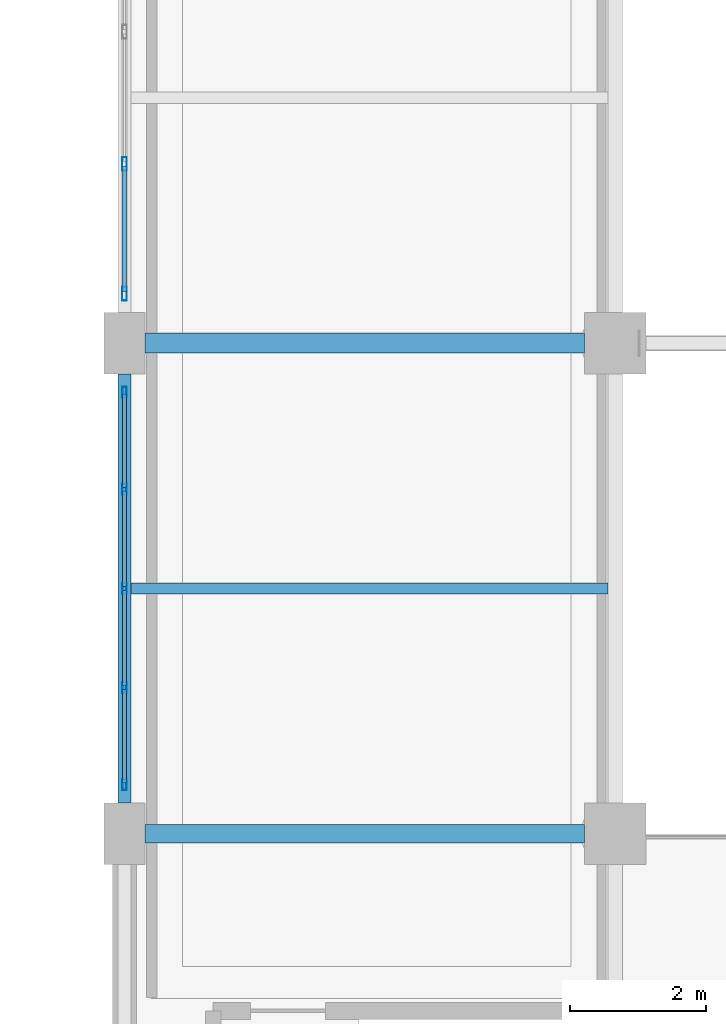
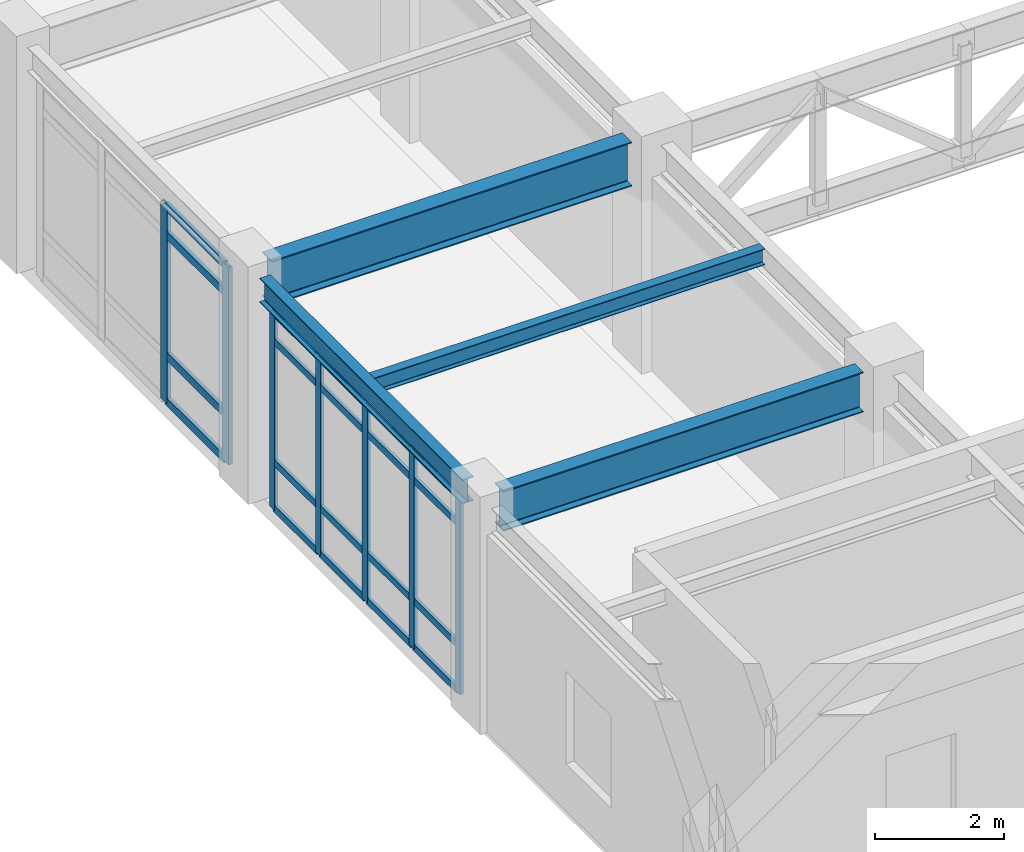
# One storey, part 19 of 106: 27 members, 4 beams, 2 elements without a shape of their own.
"""IFC4 building model written with IfcOpenShell, lengths in metres."""

from ifc_helpers import new_model, si_unit, direction, frame, origin, origin_2d, place, context, subcontext, project, spatial, hollow_rectangle, i_section, extrude, material, layer, layer_set, material_profile, profile_set, type_object, element, aggregate, save


model = new_model("IFC4")

# Units and contexts
model_context = context("Model", 3, precision=1e-05, world=origin(), true_north=direction((0.0, 1.0)))
body_context = subcontext(model_context, "Body", "Model", "MODEL_VIEW")
ifc_project = project(units=[si_unit("LENGTHUNIT", "METRE"), si_unit("AREAUNIT", "SQUARE_METRE"), si_unit("VOLUMEUNIT", "CUBIC_METRE"), si_unit("PLANEANGLEUNIT", "RADIAN"), si_unit("MASSUNIT", "GRAM", prefix="KILO")], contexts=[model_context])

# Site, building, storey
site_placement = place(None, origin())
site = spatial("IfcSite", under=ifc_project, at=site_placement, CompositionType="ELEMENT")
building_placement = place(site_placement, origin())
building = spatial("IfcBuilding", under=site, at=building_placement, Name="Carrowvane Square Congress Hotel", CompositionType="ELEMENT")
storey_placement = place(building_placement, frame((0.0, 0.0, 10.5)))
storey = spatial("IfcBuildingStorey", under=building, at=storey_placement, Name="L02", CompositionType="ELEMENT", Elevation=10.5)

# Beams
ifc_material_1 = material(Name="Steel S355", Category="steel")
ifc_material_profile_1 = material_profile(ifc_material_1, i_section(OverallWidth=0.165771484375, OverallDepth=0.306640625, WebThickness=0.006591796875, FlangeThickness=0.01171875, FilletRadius=0.0087890625, at=origin_2d()), Name="UKB 305x165x46")
ifc_profile_set_1 = profile_set([ifc_material_profile_1], Name="Steel S355")
beam_type_1 = type_object("IfcBeamType", Name="BM-ST-UKB305", PredefinedType="JOIST", material=ifc_profile_set_1)
beam_1_placement = place(storey_placement, frame((134.095703125, 16.199951171875, 4.066650390625), z_axis=(1.0, 0.0, 0.0), x_axis=(0.0, 1.0, 0.0)))
element("IfcBeam", 1, at=beam_1_placement, inside=storey, type_object=beam_type_1, Name="L03 secondary joist 18-19", PredefinedType="JOIST", context=body_context, shape_type="SweptSolid", body=[
    extrude(i_section(OverallWidth=0.165771484375, OverallDepth=0.306640625, WebThickness=0.006591796875, FlangeThickness=0.01171875, FilletRadius=0.0087890625, at=origin_2d()), origin(), (0.0, 0.0, 1.0), 6.999267578125),
])
ifc_material_2 = material(Name="Steel S355", Category="steel")
ifc_material_profile_2 = material_profile(ifc_material_2, i_section(OverallWidth=0.19140625, OverallDepth=0.4599609375, WebThickness=0.010009765625, FlangeThickness=0.01611328125, FilletRadius=0.01025390625, at=origin_2d()), Name="UKB 457x191x82")
ifc_profile_set_2 = profile_set([ifc_material_profile_2], Name="Steel S355")
beam_type_2 = type_object("IfcBeamType", Name="BM-ST-UKB457", PredefinedType="SPANDREL", material=ifc_profile_set_2)
beam_2_placement = place(storey_placement, frame((134.0, 13.050048828125, 3.989990234375), z_axis=(0.0, 1.0, 0.0), x_axis=(-1.0, 0.0, 0.0)))
element("IfcBeam", 2, at=beam_2_placement, inside=storey, type_object=beam_type_2, Name="L03 girder 18/B-C", PredefinedType="SPANDREL", context=body_context, shape_type="SweptSolid", body=[
    extrude(i_section(OverallWidth=0.19140625, OverallDepth=0.4599609375, WebThickness=0.010009765625, FlangeThickness=0.01611328125, FilletRadius=0.01025390625, at=origin_2d()), origin(), (0.0, 0.0, 1.0), 6.300048828125),
])
ifc_material_3 = material(Name="Steel S355", Category="steel")
ifc_material_profile_3 = material_profile(ifc_material_3, i_section(OverallWidth=0.2666015625, OverallDepth=0.76220703125, WebThickness=0.014404296875, FlangeThickness=0.021484375, FilletRadius=0.0166015625, at=origin_2d()), Name="UKB 762x267x173")
ifc_profile_set_3 = profile_set([ifc_material_profile_3], Name="Steel S355")
beam_type_3 = type_object("IfcBeamType", Name="BM-ST-UKB762", PredefinedType="USERDEFINED", material=ifc_profile_set_3)
beam_3_placement = place(storey_placement, frame((134.300048828125, 12.60009765625, 3.8388671875), z_axis=(1.0, 0.0, 0.0), x_axis=(0.0, 1.0, 0.0)))
element("IfcBeam", 3, at=beam_3_placement, inside=storey, type_object=beam_type_3, Name="L03 girder B/18-19", ObjectType="GIRDER", PredefinedType="USERDEFINED", context=body_context, shape_type="SweptSolid", body=[
    extrude(i_section(OverallWidth=0.2666015625, OverallDepth=0.76220703125, WebThickness=0.014404296875, FlangeThickness=0.021484375, FilletRadius=0.0166015625, at=origin_2d()), origin(), (0.0, 0.0, 1.0), 6.449951171875),
])
ifc_material_4 = material(Name="Steel S355", Category="steel")
ifc_material_profile_4 = material_profile(ifc_material_4, i_section(OverallWidth=0.29248046875, OverallDepth=0.8408203125, WebThickness=0.0146484375, FlangeThickness=0.021728515625, FilletRadius=0.017822265625, at=origin_2d()), Name="UKB 838x292x194")
ifc_profile_set_4 = profile_set([ifc_material_profile_4], Name="Steel S355")
beam_type_4 = type_object("IfcBeamType", Name="BM-ST-UKB838", PredefinedType="USERDEFINED", material=ifc_profile_set_4)
beam_4_placement = place(storey_placement, frame((134.300048828125, 19.800048828125, 3.799560546875), z_axis=(1.0, 0.0, 0.0), x_axis=(0.0, 1.0, 0.0)))
element("IfcBeam", 4, at=beam_4_placement, inside=storey, type_object=beam_type_4, Name="L03 girder C/18-19", ObjectType="GIRDER", PredefinedType="USERDEFINED", context=body_context, shape_type="SweptSolid", body=[
    extrude(i_section(OverallWidth=0.29248046875, OverallDepth=0.8408203125, WebThickness=0.0146484375, FlangeThickness=0.021728515625, FilletRadius=0.017822265625, at=origin_2d()), origin(), (0.0, 0.0, 1.0), 6.449951171875),
])

# Curtain wall, members
ifc_material_5 = material(Name="Anodised aluminium", Category="aluminium")
ifc_layer_1 = layer(ifc_material_5, 0.2099609375)
ifc_layer_set_1 = layer_set([ifc_layer_1], Name="Anodised aluminium")
curtain_wall_type_1 = type_object("IfcCurtainWallType", Name="CW-SYS-5", PredefinedType="NOTDEFINED", material=ifc_layer_set_1)
curtain_wall_1_placement = place(storey_placement, origin())
curtain_wall_1 = element("IfcCurtainWall", 5, at=curtain_wall_1_placement, inside=storey, type_object=curtain_wall_type_1, Name="L02 unitised curtain wall 180", PredefinedType="NOTDEFINED")
ifc_material_6 = material(Name="Anodised aluminium", Category="aluminium")
ifc_material_profile_5 = material_profile(ifc_material_6, hollow_rectangle(XDim=0.06005859375, YDim=0.159912109375, WallThickness=0.00390625, at=origin_2d()), Name="CW-ML 60x160x4")
ifc_profile_set_5 = profile_set([ifc_material_profile_5], Name="Anodised aluminium")
member_type_1 = type_object("IfcMemberType", Name="CW-MUL-1", PredefinedType="MULLION", material=ifc_profile_set_5)
member_1_placement = place(storey_placement, frame((134.0, 13.320068359375, 0.0), z_axis=(0.0, 0.0, 1.0), x_axis=(-1.0, 0.0, 0.0)))
member_1 = element("IfcMember", 6, at=member_1_placement, type_object=member_type_1, Name="CW-5 mullion 1", PredefinedType="MULLION", context=body_context, shape_type="SweptSolid", body=[
    extrude(hollow_rectangle(XDim=0.06005859375, YDim=0.159912109375, WallThickness=0.00390625, at=origin_2d()), origin(), (0.0, 0.0, 1.0), 3.7451171875),
])
member_2_placement = place(storey_placement, frame((134.0, 14.7451171875, 0.0), z_axis=(0.0, 0.0, 1.0), x_axis=(-1.0, 0.0, 0.0)))
member_2 = element("IfcMember", 7, at=member_2_placement, type_object=member_type_1, Name="CW-5 mullion 2", PredefinedType="MULLION", context=body_context, shape_type="SweptSolid", body=[
    extrude(hollow_rectangle(XDim=0.06005859375, YDim=0.159912109375, WallThickness=0.00390625, at=origin_2d()), origin(), (0.0, 0.0, 1.0), 3.7451171875),
])
member_3_placement = place(storey_placement, frame((134.0, 16.199951171875, 0.0), z_axis=(0.0, 0.0, 1.0), x_axis=(-1.0, 0.0, 0.0)))
member_3 = element("IfcMember", 8, at=member_3_placement, type_object=member_type_1, Name="CW-5 mullion 3", PredefinedType="MULLION", context=body_context, shape_type="SweptSolid", body=[
    extrude(hollow_rectangle(XDim=0.06005859375, YDim=0.159912109375, WallThickness=0.00390625, at=origin_2d()), origin(), (0.0, 0.0, 1.0), 3.7451171875),
])
member_4_placement = place(storey_placement, frame((134.0, 17.655029296875, 0.0), z_axis=(0.0, 0.0, 1.0), x_axis=(-1.0, 0.0, 0.0)))
member_4 = element("IfcMember", 9, at=member_4_placement, type_object=member_type_1, Name="CW-5 mullion 4", PredefinedType="MULLION", context=body_context, shape_type="SweptSolid", body=[
    extrude(hollow_rectangle(XDim=0.06005859375, YDim=0.159912109375, WallThickness=0.00390625, at=origin_2d()), origin(), (0.0, 0.0, 1.0), 3.7451171875),
])
member_5_placement = place(storey_placement, frame((134.0, 19.080078125, 0.0), z_axis=(0.0, 0.0, 1.0), x_axis=(-1.0, 0.0, 0.0)))
member_5 = element("IfcMember", 10, at=member_5_placement, type_object=member_type_1, Name="CW-5 mullion 5", PredefinedType="MULLION", context=body_context, shape_type="SweptSolid", body=[
    extrude(hollow_rectangle(XDim=0.06005859375, YDim=0.159912109375, WallThickness=0.00390625, at=origin_2d()), origin(), (0.0, 0.0, 1.0), 3.7451171875),
])

ifc_material_7 = material(Name="Anodised aluminium", Category="aluminium")
ifc_layer_2 = layer(ifc_material_7, 0.221923828125)
ifc_layer_set_2 = layer_set([ifc_layer_2], Name="Anodised aluminium")
curtain_wall_type_2 = type_object("IfcCurtainWallType", Name="CW-SYS-6", PredefinedType="NOTDEFINED", material=ifc_layer_set_2)
curtain_wall_2_placement = place(storey_placement, origin())
curtain_wall_2 = element("IfcCurtainWall", 11, at=curtain_wall_2_placement, inside=storey, type_object=curtain_wall_type_2, Name="L02 unitised curtain wall 181", PredefinedType="NOTDEFINED")
ifc_material_8 = material(Name="Anodised aluminium", Category="aluminium")
ifc_material_profile_6 = material_profile(ifc_material_8, hollow_rectangle(XDim=0.070068359375, YDim=0.199951171875, WallThickness=0.0048828125, at=origin_2d()), Name="CW-ML 70x200x5")
ifc_profile_set_6 = profile_set([ifc_material_profile_6], Name="Anodised aluminium")
member_type_2 = type_object("IfcMemberType", Name="CW-MUL-2", PredefinedType="MULLION", material=ifc_profile_set_6)
member_6_placement = place(storey_placement, frame((134.0, 20.52490234375, 0.0), z_axis=(0.0, 0.0, 1.0), x_axis=(-1.0, 0.0, 0.0)))
member_6 = element("IfcMember", 12, at=member_6_placement, type_object=member_type_2, Name="CW-6 mullion 1", PredefinedType="MULLION", context=body_context, shape_type="SweptSolid", body=[
    extrude(hollow_rectangle(XDim=0.070068359375, YDim=0.199951171875, WallThickness=0.0048828125, at=origin_2d()), origin(), (0.0, 0.0, 1.0), 3.7451171875),
])
member_7_placement = place(storey_placement, frame((134.0, 22.429931640625, 0.0), z_axis=(0.0, 0.0, 1.0), x_axis=(-1.0, 0.0, 0.0)))
member_7 = element("IfcMember", 13, at=member_7_placement, type_object=member_type_2, Name="CW-6 mullion 2", PredefinedType="MULLION", context=body_context, shape_type="SweptSolid", body=[
    extrude(hollow_rectangle(XDim=0.070068359375, YDim=0.199951171875, WallThickness=0.0048828125, at=origin_2d()), origin(), (0.0, 0.0, 1.0), 3.7451171875),
])

# Member
ifc_material_9 = material(Name="Anodised aluminium", Category="aluminium")
ifc_material_profile_7 = material_profile(ifc_material_9, hollow_rectangle(XDim=0.06005859375, YDim=0.1298828125, WallThickness=0.00390625, at=origin_2d()), Name="CW-TR 60x130x4")
ifc_profile_set_7 = profile_set([ifc_material_profile_7], Name="Anodised aluminium")
member_type_3 = type_object("IfcMemberType", Name="CW-TRN-1", PredefinedType="USERDEFINED", material=ifc_profile_set_7)
member_8_placement = place(storey_placement, frame((134.0, 13.35009765625, 0.030029296875), z_axis=(0.0, 1.0, 0.0), x_axis=(-1.0, 0.0, 0.0)))
member_8 = element("IfcMember", 14, at=member_8_placement, type_object=member_type_3, Name="CW-5 transom 1.1", ObjectType="TRANSOM", PredefinedType="USERDEFINED", context=body_context, shape_type="SweptSolid", body=[
    extrude(hollow_rectangle(XDim=0.06005859375, YDim=0.1298828125, WallThickness=0.00390625, at=origin_2d()), origin(), (0.0, 0.0, 1.0), 1.364990234375),
])

member_9_placement = place(storey_placement, frame((134.0, 13.35009765625, 0.89990234375), z_axis=(0.0, 1.0, 0.0), x_axis=(-1.0, 0.0, 0.0)))
member_9 = element("IfcMember", 15, at=member_9_placement, type_object=member_type_3, Name="CW-5 transom 1.2", ObjectType="TRANSOM", PredefinedType="USERDEFINED", context=body_context, shape_type="SweptSolid", body=[
    extrude(hollow_rectangle(XDim=0.06005859375, YDim=0.1298828125, WallThickness=0.00390625, at=origin_2d()), origin(), (0.0, 0.0, 1.0), 1.364990234375),
])

member_10_placement = place(storey_placement, frame((134.0, 13.35009765625, 3.195068359375), z_axis=(0.0, 1.0, 0.0), x_axis=(-1.0, 0.0, 0.0)))
member_10 = element("IfcMember", 16, at=member_10_placement, type_object=member_type_3, Name="CW-5 transom 1.3", ObjectType="TRANSOM", PredefinedType="USERDEFINED", context=body_context, shape_type="SweptSolid", body=[
    extrude(hollow_rectangle(XDim=0.06005859375, YDim=0.1298828125, WallThickness=0.00390625, at=origin_2d()), origin(), (0.0, 0.0, 1.0), 1.364990234375),
])

member_11_placement = place(storey_placement, frame((134.0, 13.35009765625, 3.715087890625), z_axis=(0.0, 1.0, 0.0), x_axis=(-1.0, 0.0, 0.0)))
member_11 = element("IfcMember", 17, at=member_11_placement, type_object=member_type_3, Name="CW-5 transom 1.4", ObjectType="TRANSOM", PredefinedType="USERDEFINED", context=body_context, shape_type="SweptSolid", body=[
    extrude(hollow_rectangle(XDim=0.06005859375, YDim=0.1298828125, WallThickness=0.00390625, at=origin_2d()), origin(), (0.0, 0.0, 1.0), 1.364990234375),
])

member_12_placement = place(storey_placement, frame((134.0, 14.77490234375, 0.030029296875), z_axis=(0.0, 1.0, 0.0), x_axis=(-1.0, 0.0, 0.0)))
member_12 = element("IfcMember", 18, at=member_12_placement, type_object=member_type_3, Name="CW-5 transom 2.1", ObjectType="TRANSOM", PredefinedType="USERDEFINED", context=body_context, shape_type="SweptSolid", body=[
    extrude(hollow_rectangle(XDim=0.06005859375, YDim=0.1298828125, WallThickness=0.00390625, at=origin_2d()), origin(), (0.0, 0.0, 1.0), 1.39501953125),
])

member_13_placement = place(storey_placement, frame((134.0, 14.77490234375, 0.89990234375), z_axis=(0.0, 1.0, 0.0), x_axis=(-1.0, 0.0, 0.0)))
member_13 = element("IfcMember", 19, at=member_13_placement, type_object=member_type_3, Name="CW-5 transom 2.2", ObjectType="TRANSOM", PredefinedType="USERDEFINED", context=body_context, shape_type="SweptSolid", body=[
    extrude(hollow_rectangle(XDim=0.06005859375, YDim=0.1298828125, WallThickness=0.00390625, at=origin_2d()), origin(), (0.0, 0.0, 1.0), 1.39501953125),
])

member_14_placement = place(storey_placement, frame((134.0, 14.77490234375, 3.195068359375), z_axis=(0.0, 1.0, 0.0), x_axis=(-1.0, 0.0, 0.0)))
member_14 = element("IfcMember", 20, at=member_14_placement, type_object=member_type_3, Name="CW-5 transom 2.3", ObjectType="TRANSOM", PredefinedType="USERDEFINED", context=body_context, shape_type="SweptSolid", body=[
    extrude(hollow_rectangle(XDim=0.06005859375, YDim=0.1298828125, WallThickness=0.00390625, at=origin_2d()), origin(), (0.0, 0.0, 1.0), 1.39501953125),
])

member_15_placement = place(storey_placement, frame((134.0, 14.77490234375, 3.715087890625), z_axis=(0.0, 1.0, 0.0), x_axis=(-1.0, 0.0, 0.0)))
member_15 = element("IfcMember", 21, at=member_15_placement, type_object=member_type_3, Name="CW-5 transom 2.4", ObjectType="TRANSOM", PredefinedType="USERDEFINED", context=body_context, shape_type="SweptSolid", body=[
    extrude(hollow_rectangle(XDim=0.06005859375, YDim=0.1298828125, WallThickness=0.00390625, at=origin_2d()), origin(), (0.0, 0.0, 1.0), 1.39501953125),
])

member_16_placement = place(storey_placement, frame((134.0, 16.22998046875, 0.030029296875), z_axis=(0.0, 1.0, 0.0), x_axis=(-1.0, 0.0, 0.0)))
member_16 = element("IfcMember", 22, at=member_16_placement, type_object=member_type_3, Name="CW-5 transom 3.1", ObjectType="TRANSOM", PredefinedType="USERDEFINED", context=body_context, shape_type="SweptSolid", body=[
    extrude(hollow_rectangle(XDim=0.06005859375, YDim=0.1298828125, WallThickness=0.00390625, at=origin_2d()), origin(), (0.0, 0.0, 1.0), 1.39501953125),
])

member_17_placement = place(storey_placement, frame((134.0, 16.22998046875, 0.89990234375), z_axis=(0.0, 1.0, 0.0), x_axis=(-1.0, 0.0, 0.0)))
member_17 = element("IfcMember", 23, at=member_17_placement, type_object=member_type_3, Name="CW-5 transom 3.2", ObjectType="TRANSOM", PredefinedType="USERDEFINED", context=body_context, shape_type="SweptSolid", body=[
    extrude(hollow_rectangle(XDim=0.06005859375, YDim=0.1298828125, WallThickness=0.00390625, at=origin_2d()), origin(), (0.0, 0.0, 1.0), 1.39501953125),
])

member_18_placement = place(storey_placement, frame((134.0, 16.22998046875, 3.195068359375), z_axis=(0.0, 1.0, 0.0), x_axis=(-1.0, 0.0, 0.0)))
member_18 = element("IfcMember", 24, at=member_18_placement, type_object=member_type_3, Name="CW-5 transom 3.3", ObjectType="TRANSOM", PredefinedType="USERDEFINED", context=body_context, shape_type="SweptSolid", body=[
    extrude(hollow_rectangle(XDim=0.06005859375, YDim=0.1298828125, WallThickness=0.00390625, at=origin_2d()), origin(), (0.0, 0.0, 1.0), 1.39501953125),
])

member_19_placement = place(storey_placement, frame((134.0, 16.22998046875, 3.715087890625), z_axis=(0.0, 1.0, 0.0), x_axis=(-1.0, 0.0, 0.0)))
member_19 = element("IfcMember", 25, at=member_19_placement, type_object=member_type_3, Name="CW-5 transom 3.4", ObjectType="TRANSOM", PredefinedType="USERDEFINED", context=body_context, shape_type="SweptSolid", body=[
    extrude(hollow_rectangle(XDim=0.06005859375, YDim=0.1298828125, WallThickness=0.00390625, at=origin_2d()), origin(), (0.0, 0.0, 1.0), 1.39501953125),
])

member_20_placement = place(storey_placement, frame((134.0, 17.68505859375, 0.030029296875), z_axis=(0.0, 1.0, 0.0), x_axis=(-1.0, 0.0, 0.0)))
member_20 = element("IfcMember", 26, at=member_20_placement, type_object=member_type_3, Name="CW-5 transom 4.1", ObjectType="TRANSOM", PredefinedType="USERDEFINED", context=body_context, shape_type="SweptSolid", body=[
    extrude(hollow_rectangle(XDim=0.06005859375, YDim=0.1298828125, WallThickness=0.00390625, at=origin_2d()), origin(), (0.0, 0.0, 1.0), 1.364990234375),
])

member_21_placement = place(storey_placement, frame((134.0, 17.68505859375, 0.89990234375), z_axis=(0.0, 1.0, 0.0), x_axis=(-1.0, 0.0, 0.0)))
member_21 = element("IfcMember", 27, at=member_21_placement, type_object=member_type_3, Name="CW-5 transom 4.2", ObjectType="TRANSOM", PredefinedType="USERDEFINED", context=body_context, shape_type="SweptSolid", body=[
    extrude(hollow_rectangle(XDim=0.06005859375, YDim=0.1298828125, WallThickness=0.00390625, at=origin_2d()), origin(), (0.0, 0.0, 1.0), 1.364990234375),
])

member_22_placement = place(storey_placement, frame((134.0, 17.68505859375, 3.195068359375), z_axis=(0.0, 1.0, 0.0), x_axis=(-1.0, 0.0, 0.0)))
member_22 = element("IfcMember", 28, at=member_22_placement, type_object=member_type_3, Name="CW-5 transom 4.3", ObjectType="TRANSOM", PredefinedType="USERDEFINED", context=body_context, shape_type="SweptSolid", body=[
    extrude(hollow_rectangle(XDim=0.06005859375, YDim=0.1298828125, WallThickness=0.00390625, at=origin_2d()), origin(), (0.0, 0.0, 1.0), 1.364990234375),
])

member_23_placement = place(storey_placement, frame((134.0, 17.68505859375, 3.715087890625), z_axis=(0.0, 1.0, 0.0), x_axis=(-1.0, 0.0, 0.0)))
member_23 = element("IfcMember", 29, at=member_23_placement, type_object=member_type_3, Name="CW-5 transom 4.4", ObjectType="TRANSOM", PredefinedType="USERDEFINED", context=body_context, shape_type="SweptSolid", body=[
    extrude(hollow_rectangle(XDim=0.06005859375, YDim=0.1298828125, WallThickness=0.00390625, at=origin_2d()), origin(), (0.0, 0.0, 1.0), 1.364990234375),
])

aggregate(curtain_wall_1, [member_1, member_2, member_3, member_4, member_5, member_8, member_9, member_10, member_11, member_12, member_13, member_14, member_15, member_16, member_17, member_18, member_19, member_20, member_21, member_22, member_23])

ifc_material_10 = material(Name="Anodised aluminium", Category="aluminium")
ifc_material_profile_8 = material_profile(ifc_material_10, hollow_rectangle(XDim=0.070068359375, YDim=0.14990234375, WallThickness=0.0048828125, at=origin_2d()), Name="CW-TR 70x150x5")
ifc_profile_set_8 = profile_set([ifc_material_profile_8], Name="Anodised aluminium")
member_type_4 = type_object("IfcMemberType", Name="CW-TRN-2", PredefinedType="USERDEFINED", material=ifc_profile_set_8)
member_24_placement = place(storey_placement, frame((134.0, 20.56005859375, 0.034912109375), z_axis=(0.0, 1.0, 0.0), x_axis=(-1.0, 0.0, 0.0)))
member_24 = element("IfcMember", 30, at=member_24_placement, type_object=member_type_4, Name="CW-6 transom 1.1", ObjectType="TRANSOM", PredefinedType="USERDEFINED", context=body_context, shape_type="SweptSolid", body=[
    extrude(hollow_rectangle(XDim=0.070068359375, YDim=0.14990234375, WallThickness=0.0048828125, at=origin_2d()), origin(), (0.0, 0.0, 1.0), 1.8349609375),
])

member_25_placement = place(storey_placement, frame((134.0, 20.56005859375, 0.89990234375), z_axis=(0.0, 1.0, 0.0), x_axis=(-1.0, 0.0, 0.0)))
member_25 = element("IfcMember", 31, at=member_25_placement, type_object=member_type_4, Name="CW-6 transom 1.2", ObjectType="TRANSOM", PredefinedType="USERDEFINED", context=body_context, shape_type="SweptSolid", body=[
    extrude(hollow_rectangle(XDim=0.070068359375, YDim=0.14990234375, WallThickness=0.0048828125, at=origin_2d()), origin(), (0.0, 0.0, 1.0), 1.8349609375),
])

member_26_placement = place(storey_placement, frame((134.0, 20.56005859375, 3.195068359375), z_axis=(0.0, 1.0, 0.0), x_axis=(-1.0, 0.0, 0.0)))
member_26 = element("IfcMember", 32, at=member_26_placement, type_object=member_type_4, Name="CW-6 transom 1.3", ObjectType="TRANSOM", PredefinedType="USERDEFINED", context=body_context, shape_type="SweptSolid", body=[
    extrude(hollow_rectangle(XDim=0.070068359375, YDim=0.14990234375, WallThickness=0.0048828125, at=origin_2d()), origin(), (0.0, 0.0, 1.0), 1.8349609375),
])

member_27_placement = place(storey_placement, frame((134.0, 20.56005859375, 3.7099609375), z_axis=(0.0, 1.0, 0.0), x_axis=(-1.0, 0.0, 0.0)))
member_27 = element("IfcMember", 33, at=member_27_placement, type_object=member_type_4, Name="CW-6 transom 1.4", ObjectType="TRANSOM", PredefinedType="USERDEFINED", context=body_context, shape_type="SweptSolid", body=[
    extrude(hollow_rectangle(XDim=0.070068359375, YDim=0.14990234375, WallThickness=0.0048828125, at=origin_2d()), origin(), (0.0, 0.0, 1.0), 1.8349609375),
])

aggregate(curtain_wall_2, [member_6, member_7, member_24, member_25, member_26, member_27])

save(model, "model.ifc")
